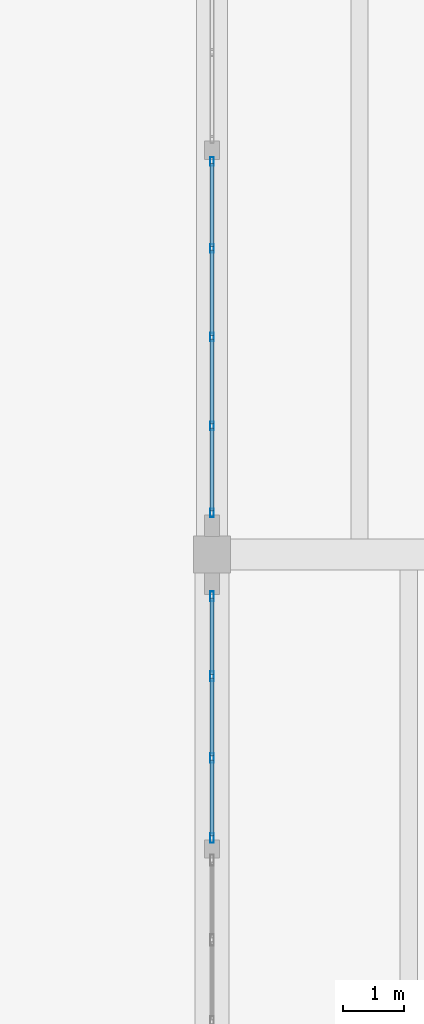
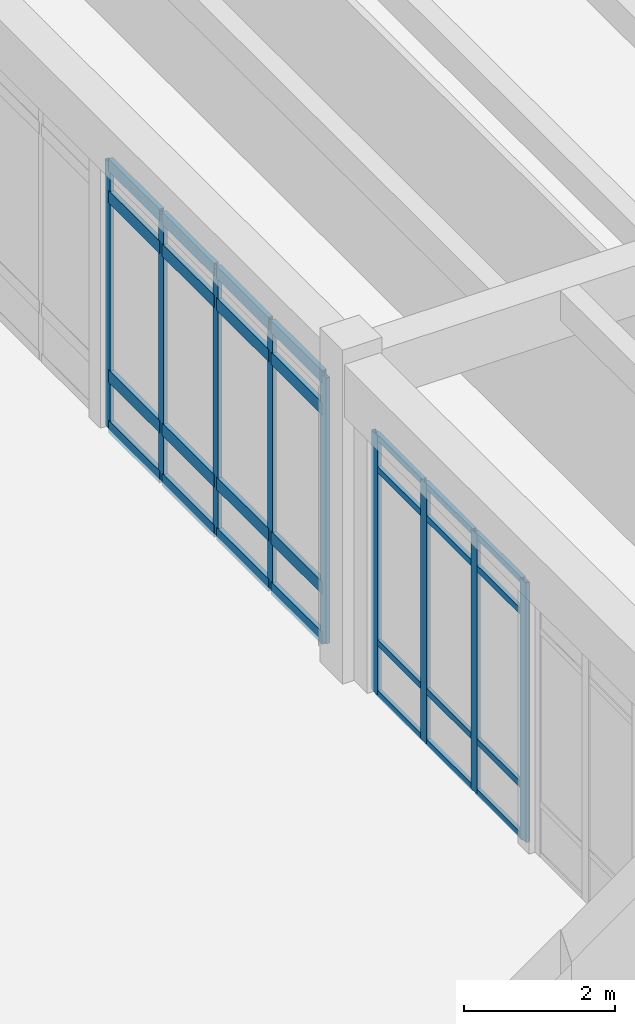
# One storey, part 29 of 138: 37 members, 2 elements without a shape of their own.
"""IFC4 building model written with IfcOpenShell, lengths in metres."""

from ifc_helpers import new_model, si_unit, direction, frame, origin, origin_2d, place, context, subcontext, project, spatial, hollow_rectangle, extrude, material, layer, layer_set, material_profile, profile_set, type_object, element, aggregate, save


model = new_model("IFC4")

# Units and contexts
model_context = context("Model", 3, precision=1e-05, world=origin(), true_north=direction((0.0, 1.0)))
body_context = subcontext(model_context, "Body", "Model", "MODEL_VIEW")
ifc_project = project(units=[si_unit("LENGTHUNIT", "METRE"), si_unit("AREAUNIT", "SQUARE_METRE"), si_unit("VOLUMEUNIT", "CUBIC_METRE"), si_unit("PLANEANGLEUNIT", "RADIAN"), si_unit("MASSUNIT", "GRAM", prefix="KILO")], contexts=[model_context])

# Site, building, storey
site_placement = place(None, origin())
site = spatial("IfcSite", under=ifc_project, at=site_placement, CompositionType="ELEMENT")
building_placement = place(site_placement, origin())
building = spatial("IfcBuilding", under=site, at=building_placement, Name="Fikremerkos Civic Library", CompositionType="ELEMENT")
storey_placement = place(building_placement, origin())
storey = spatial("IfcBuildingStorey", under=building, at=storey_placement, Name="L00", CompositionType="ELEMENT", Elevation=0.0)

# Curtain wall, members
ifc_material = material(Name="Anodized aluminium Frame", Category="aluminium")
ifc_layer_1 = layer(ifc_material, 0.159912109375, Name="Anodized aluminium Frame")
ifc_layer_set_1 = layer_set([ifc_layer_1], Name="Anodized aluminium Frame")
curtain_wall_type_1 = type_object("IfcCurtainWallType", Name="Unitised curtain wall CW-06 4200x4100", PredefinedType="USERDEFINED", material=ifc_layer_set_1)
curtain_wall_1_placement = place(storey_placement, origin())
curtain_wall_1 = element("IfcCurtainWall", 1, at=curtain_wall_1_placement, inside=storey, type_object=curtain_wall_type_1, Name="Unitised curtain wall CW-06 L00 #24", ObjectType="UNITISED CURTAIN WALL", PredefinedType="USERDEFINED")
ifc_material_profile_1 = material_profile(ifc_material, hollow_rectangle(XDim=0.06005859375, YDim=0.159912109375, WallThickness=0.00390625, at=origin_2d()), Name="ALU 160x60x4")
ifc_profile_set_1 = profile_set([ifc_material_profile_1], Name="Anodized aluminium Frame")
member_type_1 = type_object("IfcMemberType", Name="Curtain mullion CWM-02 ALU 160x60x4", PredefinedType="MULLION", material=ifc_profile_set_1)
member_1_placement = place(storey_placement, frame((124.800048828125, 52.992431640625, 0.0), z_axis=(0.0, 0.0, 1.0), x_axis=(-1.0, 0.0, 0.0)))
member_1 = element("IfcMember", 2, at=member_1_placement, type_object=member_type_1, Name="CW-06 mullion 1", PredefinedType="MULLION", context=body_context, shape_type="SweptSolid", body=[
    extrude(hollow_rectangle(XDim=0.06005859375, YDim=0.159912109375, WallThickness=0.00390625, at=origin_2d()), origin(), (0.0, 0.0, 1.0), 4.199951171875),
])
member_2_placement = place(storey_placement, frame((124.800048828125, 54.292236328125, 0.0), z_axis=(0.0, 0.0, 1.0), x_axis=(-1.0, 0.0, 0.0)))
member_2 = element("IfcMember", 3, at=member_2_placement, type_object=member_type_1, Name="CW-06 mullion 2", PredefinedType="MULLION", context=body_context, shape_type="SweptSolid", body=[
    extrude(hollow_rectangle(XDim=0.06005859375, YDim=0.159912109375, WallThickness=0.00390625, at=origin_2d()), origin(), (0.0, 0.0, 1.0), 4.199951171875),
])
member_3_placement = place(storey_placement, frame((124.800048828125, 55.6220703125, 0.0), z_axis=(0.0, 0.0, 1.0), x_axis=(-1.0, 0.0, 0.0)))
member_3 = element("IfcMember", 4, at=member_3_placement, type_object=member_type_1, Name="CW-06 mullion 3", PredefinedType="MULLION", context=body_context, shape_type="SweptSolid", body=[
    extrude(hollow_rectangle(XDim=0.06005859375, YDim=0.159912109375, WallThickness=0.00390625, at=origin_2d()), origin(), (0.0, 0.0, 1.0), 4.199951171875),
])
member_4_placement = place(storey_placement, frame((124.800048828125, 56.922119140625, 0.0), z_axis=(0.0, 0.0, 1.0), x_axis=(-1.0, 0.0, 0.0)))
member_4 = element("IfcMember", 5, at=member_4_placement, type_object=member_type_1, Name="CW-06 mullion 4", PredefinedType="MULLION", context=body_context, shape_type="SweptSolid", body=[
    extrude(hollow_rectangle(XDim=0.06005859375, YDim=0.159912109375, WallThickness=0.00390625, at=origin_2d()), origin(), (0.0, 0.0, 1.0), 4.199951171875),
])

ifc_layer_2 = layer(ifc_material, 0.159912109375, Name="Anodized aluminium Frame")
ifc_layer_set_2 = layer_set([ifc_layer_2], Name="Anodized aluminium Frame")
curtain_wall_type_2 = type_object("IfcCurtainWallType", Name="Unitised curtain wall CW-07 3500x4100", PredefinedType="USERDEFINED", material=ifc_layer_set_2)
curtain_wall_2_placement = place(storey_placement, origin())
curtain_wall_2 = element("IfcCurtainWall", 6, at=curtain_wall_2_placement, inside=storey, type_object=curtain_wall_type_2, Name="Unitised curtain wall CW-07 L00 #25", ObjectType="UNITISED CURTAIN WALL", PredefinedType="USERDEFINED")
ifc_material_profile_2 = material_profile(ifc_material, hollow_rectangle(XDim=0.06005859375, YDim=0.139892578125, WallThickness=0.00390625, at=origin_2d()), Name="ALU 140x60x4")
ifc_profile_set_2 = profile_set([ifc_material_profile_2], Name="Anodized aluminium Frame")
member_type_2 = type_object("IfcMemberType", Name="Curtain mullion CWM-03 ALU 140x60x4", PredefinedType="MULLION", material=ifc_profile_set_2)
member_5_placement = place(storey_placement, frame((124.800048828125, 58.278076171875, 0.0), z_axis=(0.0, 0.0, 1.0), x_axis=(-1.0, 0.0, 0.0)))
member_5 = element("IfcMember", 7, at=member_5_placement, type_object=member_type_2, Name="CW-07 mullion 1", PredefinedType="MULLION", context=body_context, shape_type="SweptSolid", body=[
    extrude(hollow_rectangle(XDim=0.06005859375, YDim=0.139892578125, WallThickness=0.00390625, at=origin_2d()), origin(), (0.0, 0.0, 1.0), 4.300048828125),
])
member_6_placement = place(storey_placement, frame((124.800048828125, 59.692138671875, 0.0), z_axis=(0.0, 0.0, 1.0), x_axis=(-1.0, 0.0, 0.0)))
member_6 = element("IfcMember", 8, at=member_6_placement, type_object=member_type_2, Name="CW-07 mullion 2", PredefinedType="MULLION", context=body_context, shape_type="SweptSolid", body=[
    extrude(hollow_rectangle(XDim=0.06005859375, YDim=0.139892578125, WallThickness=0.00390625, at=origin_2d()), origin(), (0.0, 0.0, 1.0), 4.300048828125),
])
member_7_placement = place(storey_placement, frame((124.800048828125, 61.13623046875, 0.0), z_axis=(0.0, 0.0, 1.0), x_axis=(-1.0, 0.0, 0.0)))
member_7 = element("IfcMember", 9, at=member_7_placement, type_object=member_type_2, Name="CW-07 mullion 3", PredefinedType="MULLION", context=body_context, shape_type="SweptSolid", body=[
    extrude(hollow_rectangle(XDim=0.06005859375, YDim=0.139892578125, WallThickness=0.00390625, at=origin_2d()), origin(), (0.0, 0.0, 1.0), 4.300048828125),
])
member_8_placement = place(storey_placement, frame((124.800048828125, 62.580322265625, 0.0), z_axis=(0.0, 0.0, 1.0), x_axis=(-1.0, 0.0, 0.0)))
member_8 = element("IfcMember", 10, at=member_8_placement, type_object=member_type_2, Name="CW-07 mullion 4", PredefinedType="MULLION", context=body_context, shape_type="SweptSolid", body=[
    extrude(hollow_rectangle(XDim=0.06005859375, YDim=0.139892578125, WallThickness=0.00390625, at=origin_2d()), origin(), (0.0, 0.0, 1.0), 4.300048828125),
])
member_9_placement = place(storey_placement, frame((124.800048828125, 63.994384765625, 0.0), z_axis=(0.0, 0.0, 1.0), x_axis=(-1.0, 0.0, 0.0)))
member_9 = element("IfcMember", 11, at=member_9_placement, type_object=member_type_2, Name="CW-07 mullion 5", PredefinedType="MULLION", context=body_context, shape_type="SweptSolid", body=[
    extrude(hollow_rectangle(XDim=0.06005859375, YDim=0.139892578125, WallThickness=0.00390625, at=origin_2d()), origin(), (0.0, 0.0, 1.0), 4.300048828125),
])

# Member
ifc_material_profile_3 = material_profile(ifc_material, hollow_rectangle(XDim=0.06005859375, YDim=0.10009765625, WallThickness=0.00390625, at=origin_2d()), Name="ALU 100x60x4")
ifc_profile_set_3 = profile_set([ifc_material_profile_3], Name="Anodized aluminium Frame")
member_type_3 = type_object("IfcMemberType", Name="Curtain transom CWT-03 ALU 100x60x4", PredefinedType="USERDEFINED", material=ifc_profile_set_3)
member_10_placement = place(storey_placement, frame((124.800048828125, 53.0224609375, 0.030029296875), z_axis=(0.0, 1.0, 0.0), x_axis=(-1.0, 0.0, 0.0)))
member_10 = element("IfcMember", 12, at=member_10_placement, type_object=member_type_3, Name="CW-06 transom 1.1", ObjectType="TRANSOM", PredefinedType="USERDEFINED", context=body_context, shape_type="SweptSolid", body=[
    extrude(hollow_rectangle(XDim=0.06005859375, YDim=0.10009765625, WallThickness=0.00390625, at=origin_2d()), origin(), (0.0, 0.0, 1.0), 1.239990234375),
])

member_11_placement = place(storey_placement, frame((124.800048828125, 53.0224609375, 0.85009765625), z_axis=(0.0, 1.0, 0.0), x_axis=(-1.0, 0.0, 0.0)))
member_11 = element("IfcMember", 13, at=member_11_placement, type_object=member_type_3, Name="CW-06 transom 1.2", ObjectType="TRANSOM", PredefinedType="USERDEFINED", context=body_context, shape_type="SweptSolid", body=[
    extrude(hollow_rectangle(XDim=0.06005859375, YDim=0.10009765625, WallThickness=0.00390625, at=origin_2d()), origin(), (0.0, 0.0, 1.0), 1.239990234375),
])

member_12_placement = place(storey_placement, frame((124.800048828125, 53.0224609375, 3.64990234375), z_axis=(0.0, 1.0, 0.0), x_axis=(-1.0, 0.0, 0.0)))
member_12 = element("IfcMember", 14, at=member_12_placement, type_object=member_type_3, Name="CW-06 transom 1.3", ObjectType="TRANSOM", PredefinedType="USERDEFINED", context=body_context, shape_type="SweptSolid", body=[
    extrude(hollow_rectangle(XDim=0.06005859375, YDim=0.10009765625, WallThickness=0.00390625, at=origin_2d()), origin(), (0.0, 0.0, 1.0), 1.239990234375),
])

member_13_placement = place(storey_placement, frame((124.800048828125, 53.0224609375, 4.169921875), z_axis=(0.0, 1.0, 0.0), x_axis=(-1.0, 0.0, 0.0)))
member_13 = element("IfcMember", 15, at=member_13_placement, type_object=member_type_3, Name="CW-06 transom 1.4", ObjectType="TRANSOM", PredefinedType="USERDEFINED", context=body_context, shape_type="SweptSolid", body=[
    extrude(hollow_rectangle(XDim=0.06005859375, YDim=0.10009765625, WallThickness=0.00390625, at=origin_2d()), origin(), (0.0, 0.0, 1.0), 1.239990234375),
])

member_14_placement = place(storey_placement, frame((124.800048828125, 54.322265625, 0.030029296875), z_axis=(0.0, 1.0, 0.0), x_axis=(-1.0, 0.0, 0.0)))
member_14 = element("IfcMember", 16, at=member_14_placement, type_object=member_type_3, Name="CW-06 transom 2.1", ObjectType="TRANSOM", PredefinedType="USERDEFINED", context=body_context, shape_type="SweptSolid", body=[
    extrude(hollow_rectangle(XDim=0.06005859375, YDim=0.10009765625, WallThickness=0.00390625, at=origin_2d()), origin(), (0.0, 0.0, 1.0), 1.27001953125),
])

member_15_placement = place(storey_placement, frame((124.800048828125, 54.322265625, 0.85009765625), z_axis=(0.0, 1.0, 0.0), x_axis=(-1.0, 0.0, 0.0)))
member_15 = element("IfcMember", 17, at=member_15_placement, type_object=member_type_3, Name="CW-06 transom 2.2", ObjectType="TRANSOM", PredefinedType="USERDEFINED", context=body_context, shape_type="SweptSolid", body=[
    extrude(hollow_rectangle(XDim=0.06005859375, YDim=0.10009765625, WallThickness=0.00390625, at=origin_2d()), origin(), (0.0, 0.0, 1.0), 1.27001953125),
])

member_16_placement = place(storey_placement, frame((124.800048828125, 54.322265625, 3.64990234375), z_axis=(0.0, 1.0, 0.0), x_axis=(-1.0, 0.0, 0.0)))
member_16 = element("IfcMember", 18, at=member_16_placement, type_object=member_type_3, Name="CW-06 transom 2.3", ObjectType="TRANSOM", PredefinedType="USERDEFINED", context=body_context, shape_type="SweptSolid", body=[
    extrude(hollow_rectangle(XDim=0.06005859375, YDim=0.10009765625, WallThickness=0.00390625, at=origin_2d()), origin(), (0.0, 0.0, 1.0), 1.27001953125),
])

member_17_placement = place(storey_placement, frame((124.800048828125, 54.322265625, 4.169921875), z_axis=(0.0, 1.0, 0.0), x_axis=(-1.0, 0.0, 0.0)))
member_17 = element("IfcMember", 19, at=member_17_placement, type_object=member_type_3, Name="CW-06 transom 2.4", ObjectType="TRANSOM", PredefinedType="USERDEFINED", context=body_context, shape_type="SweptSolid", body=[
    extrude(hollow_rectangle(XDim=0.06005859375, YDim=0.10009765625, WallThickness=0.00390625, at=origin_2d()), origin(), (0.0, 0.0, 1.0), 1.27001953125),
])

member_18_placement = place(storey_placement, frame((124.800048828125, 55.652099609375, 0.030029296875), z_axis=(0.0, 1.0, 0.0), x_axis=(-1.0, 0.0, 0.0)))
member_18 = element("IfcMember", 20, at=member_18_placement, type_object=member_type_3, Name="CW-06 transom 3.1", ObjectType="TRANSOM", PredefinedType="USERDEFINED", context=body_context, shape_type="SweptSolid", body=[
    extrude(hollow_rectangle(XDim=0.06005859375, YDim=0.10009765625, WallThickness=0.00390625, at=origin_2d()), origin(), (0.0, 0.0, 1.0), 1.239990234375),
])

member_19_placement = place(storey_placement, frame((124.800048828125, 55.652099609375, 0.85009765625), z_axis=(0.0, 1.0, 0.0), x_axis=(-1.0, 0.0, 0.0)))
member_19 = element("IfcMember", 21, at=member_19_placement, type_object=member_type_3, Name="CW-06 transom 3.2", ObjectType="TRANSOM", PredefinedType="USERDEFINED", context=body_context, shape_type="SweptSolid", body=[
    extrude(hollow_rectangle(XDim=0.06005859375, YDim=0.10009765625, WallThickness=0.00390625, at=origin_2d()), origin(), (0.0, 0.0, 1.0), 1.239990234375),
])

member_20_placement = place(storey_placement, frame((124.800048828125, 55.652099609375, 3.64990234375), z_axis=(0.0, 1.0, 0.0), x_axis=(-1.0, 0.0, 0.0)))
member_20 = element("IfcMember", 22, at=member_20_placement, type_object=member_type_3, Name="CW-06 transom 3.3", ObjectType="TRANSOM", PredefinedType="USERDEFINED", context=body_context, shape_type="SweptSolid", body=[
    extrude(hollow_rectangle(XDim=0.06005859375, YDim=0.10009765625, WallThickness=0.00390625, at=origin_2d()), origin(), (0.0, 0.0, 1.0), 1.239990234375),
])

member_21_placement = place(storey_placement, frame((124.800048828125, 55.652099609375, 4.169921875), z_axis=(0.0, 1.0, 0.0), x_axis=(-1.0, 0.0, 0.0)))
member_21 = element("IfcMember", 23, at=member_21_placement, type_object=member_type_3, Name="CW-06 transom 3.4", ObjectType="TRANSOM", PredefinedType="USERDEFINED", context=body_context, shape_type="SweptSolid", body=[
    extrude(hollow_rectangle(XDim=0.06005859375, YDim=0.10009765625, WallThickness=0.00390625, at=origin_2d()), origin(), (0.0, 0.0, 1.0), 1.239990234375),
])

aggregate(curtain_wall_1, [member_1, member_2, member_3, member_4, member_10, member_11, member_12, member_13, member_14, member_15, member_16, member_17, member_18, member_19, member_20, member_21])

ifc_material_profile_4 = material_profile(ifc_material, hollow_rectangle(XDim=0.070068359375, YDim=0.199951171875, WallThickness=0.0048828125, at=origin_2d()), Name="ALU 200x70x5")
ifc_profile_set_4 = profile_set([ifc_material_profile_4], Name="Anodized aluminium Frame")
member_type_4 = type_object("IfcMemberType", Name="Curtain transom CWT-04 ALU 200x70x5", PredefinedType="USERDEFINED", material=ifc_profile_set_4)
member_22_placement = place(storey_placement, frame((124.800048828125, 58.30810546875, 0.034912109375), z_axis=(0.0, 1.0, 0.0), x_axis=(-1.0, 0.0, 0.0)))
member_22 = element("IfcMember", 24, at=member_22_placement, type_object=member_type_4, Name="CW-07 transom 1.1", ObjectType="TRANSOM", PredefinedType="USERDEFINED", context=body_context, shape_type="SweptSolid", body=[
    extrude(hollow_rectangle(XDim=0.070068359375, YDim=0.199951171875, WallThickness=0.0048828125, at=origin_2d()), origin(), (0.0, 0.0, 1.0), 1.35400390625),
])

member_23_placement = place(storey_placement, frame((124.800048828125, 58.30810546875, 0.85009765625), z_axis=(0.0, 1.0, 0.0), x_axis=(-1.0, 0.0, 0.0)))
member_23 = element("IfcMember", 25, at=member_23_placement, type_object=member_type_4, Name="CW-07 transom 1.2", ObjectType="TRANSOM", PredefinedType="USERDEFINED", context=body_context, shape_type="SweptSolid", body=[
    extrude(hollow_rectangle(XDim=0.070068359375, YDim=0.199951171875, WallThickness=0.0048828125, at=origin_2d()), origin(), (0.0, 0.0, 1.0), 1.35400390625),
])

member_24_placement = place(storey_placement, frame((124.800048828125, 58.30810546875, 3.75), z_axis=(0.0, 1.0, 0.0), x_axis=(-1.0, 0.0, 0.0)))
member_24 = element("IfcMember", 26, at=member_24_placement, type_object=member_type_4, Name="CW-07 transom 1.3", ObjectType="TRANSOM", PredefinedType="USERDEFINED", context=body_context, shape_type="SweptSolid", body=[
    extrude(hollow_rectangle(XDim=0.070068359375, YDim=0.199951171875, WallThickness=0.0048828125, at=origin_2d()), origin(), (0.0, 0.0, 1.0), 1.35400390625),
])

member_25_placement = place(storey_placement, frame((124.800048828125, 58.30810546875, 4.264892578125), z_axis=(0.0, 1.0, 0.0), x_axis=(-1.0, 0.0, 0.0)))
member_25 = element("IfcMember", 27, at=member_25_placement, type_object=member_type_4, Name="CW-07 transom 1.4", ObjectType="TRANSOM", PredefinedType="USERDEFINED", context=body_context, shape_type="SweptSolid", body=[
    extrude(hollow_rectangle(XDim=0.070068359375, YDim=0.199951171875, WallThickness=0.0048828125, at=origin_2d()), origin(), (0.0, 0.0, 1.0), 1.35400390625),
])

member_26_placement = place(storey_placement, frame((124.800048828125, 59.72216796875, 0.034912109375), z_axis=(0.0, 1.0, 0.0), x_axis=(-1.0, 0.0, 0.0)))
member_26 = element("IfcMember", 28, at=member_26_placement, type_object=member_type_4, Name="CW-07 transom 2.1", ObjectType="TRANSOM", PredefinedType="USERDEFINED", context=body_context, shape_type="SweptSolid", body=[
    extrude(hollow_rectangle(XDim=0.070068359375, YDim=0.199951171875, WallThickness=0.0048828125, at=origin_2d()), origin(), (0.0, 0.0, 1.0), 1.384033203125),
])

member_27_placement = place(storey_placement, frame((124.800048828125, 59.72216796875, 0.85009765625), z_axis=(0.0, 1.0, 0.0), x_axis=(-1.0, 0.0, 0.0)))
member_27 = element("IfcMember", 29, at=member_27_placement, type_object=member_type_4, Name="CW-07 transom 2.2", ObjectType="TRANSOM", PredefinedType="USERDEFINED", context=body_context, shape_type="SweptSolid", body=[
    extrude(hollow_rectangle(XDim=0.070068359375, YDim=0.199951171875, WallThickness=0.0048828125, at=origin_2d()), origin(), (0.0, 0.0, 1.0), 1.384033203125),
])

member_28_placement = place(storey_placement, frame((124.800048828125, 59.72216796875, 3.75), z_axis=(0.0, 1.0, 0.0), x_axis=(-1.0, 0.0, 0.0)))
member_28 = element("IfcMember", 30, at=member_28_placement, type_object=member_type_4, Name="CW-07 transom 2.3", ObjectType="TRANSOM", PredefinedType="USERDEFINED", context=body_context, shape_type="SweptSolid", body=[
    extrude(hollow_rectangle(XDim=0.070068359375, YDim=0.199951171875, WallThickness=0.0048828125, at=origin_2d()), origin(), (0.0, 0.0, 1.0), 1.384033203125),
])

member_29_placement = place(storey_placement, frame((124.800048828125, 59.72216796875, 4.264892578125), z_axis=(0.0, 1.0, 0.0), x_axis=(-1.0, 0.0, 0.0)))
member_29 = element("IfcMember", 31, at=member_29_placement, type_object=member_type_4, Name="CW-07 transom 2.4", ObjectType="TRANSOM", PredefinedType="USERDEFINED", context=body_context, shape_type="SweptSolid", body=[
    extrude(hollow_rectangle(XDim=0.070068359375, YDim=0.199951171875, WallThickness=0.0048828125, at=origin_2d()), origin(), (0.0, 0.0, 1.0), 1.384033203125),
])

member_30_placement = place(storey_placement, frame((124.800048828125, 61.166259765625, 0.034912109375), z_axis=(0.0, 1.0, 0.0), x_axis=(-1.0, 0.0, 0.0)))
member_30 = element("IfcMember", 32, at=member_30_placement, type_object=member_type_4, Name="CW-07 transom 3.1", ObjectType="TRANSOM", PredefinedType="USERDEFINED", context=body_context, shape_type="SweptSolid", body=[
    extrude(hollow_rectangle(XDim=0.070068359375, YDim=0.199951171875, WallThickness=0.0048828125, at=origin_2d()), origin(), (0.0, 0.0, 1.0), 1.384033203125),
])

member_31_placement = place(storey_placement, frame((124.800048828125, 61.166259765625, 0.85009765625), z_axis=(0.0, 1.0, 0.0), x_axis=(-1.0, 0.0, 0.0)))
member_31 = element("IfcMember", 33, at=member_31_placement, type_object=member_type_4, Name="CW-07 transom 3.2", ObjectType="TRANSOM", PredefinedType="USERDEFINED", context=body_context, shape_type="SweptSolid", body=[
    extrude(hollow_rectangle(XDim=0.070068359375, YDim=0.199951171875, WallThickness=0.0048828125, at=origin_2d()), origin(), (0.0, 0.0, 1.0), 1.384033203125),
])

member_32_placement = place(storey_placement, frame((124.800048828125, 61.166259765625, 3.75), z_axis=(0.0, 1.0, 0.0), x_axis=(-1.0, 0.0, 0.0)))
member_32 = element("IfcMember", 34, at=member_32_placement, type_object=member_type_4, Name="CW-07 transom 3.3", ObjectType="TRANSOM", PredefinedType="USERDEFINED", context=body_context, shape_type="SweptSolid", body=[
    extrude(hollow_rectangle(XDim=0.070068359375, YDim=0.199951171875, WallThickness=0.0048828125, at=origin_2d()), origin(), (0.0, 0.0, 1.0), 1.384033203125),
])

member_33_placement = place(storey_placement, frame((124.800048828125, 61.166259765625, 4.264892578125), z_axis=(0.0, 1.0, 0.0), x_axis=(-1.0, 0.0, 0.0)))
member_33 = element("IfcMember", 35, at=member_33_placement, type_object=member_type_4, Name="CW-07 transom 3.4", ObjectType="TRANSOM", PredefinedType="USERDEFINED", context=body_context, shape_type="SweptSolid", body=[
    extrude(hollow_rectangle(XDim=0.070068359375, YDim=0.199951171875, WallThickness=0.0048828125, at=origin_2d()), origin(), (0.0, 0.0, 1.0), 1.384033203125),
])

member_34_placement = place(storey_placement, frame((124.800048828125, 62.6103515625, 0.034912109375), z_axis=(0.0, 1.0, 0.0), x_axis=(-1.0, 0.0, 0.0)))
member_34 = element("IfcMember", 36, at=member_34_placement, type_object=member_type_4, Name="CW-07 transom 4.1", ObjectType="TRANSOM", PredefinedType="USERDEFINED", context=body_context, shape_type="SweptSolid", body=[
    extrude(hollow_rectangle(XDim=0.070068359375, YDim=0.199951171875, WallThickness=0.0048828125, at=origin_2d()), origin(), (0.0, 0.0, 1.0), 1.35400390625),
])

member_35_placement = place(storey_placement, frame((124.800048828125, 62.6103515625, 0.85009765625), z_axis=(0.0, 1.0, 0.0), x_axis=(-1.0, 0.0, 0.0)))
member_35 = element("IfcMember", 37, at=member_35_placement, type_object=member_type_4, Name="CW-07 transom 4.2", ObjectType="TRANSOM", PredefinedType="USERDEFINED", context=body_context, shape_type="SweptSolid", body=[
    extrude(hollow_rectangle(XDim=0.070068359375, YDim=0.199951171875, WallThickness=0.0048828125, at=origin_2d()), origin(), (0.0, 0.0, 1.0), 1.35400390625),
])

member_36_placement = place(storey_placement, frame((124.800048828125, 62.6103515625, 3.75), z_axis=(0.0, 1.0, 0.0), x_axis=(-1.0, 0.0, 0.0)))
member_36 = element("IfcMember", 38, at=member_36_placement, type_object=member_type_4, Name="CW-07 transom 4.3", ObjectType="TRANSOM", PredefinedType="USERDEFINED", context=body_context, shape_type="SweptSolid", body=[
    extrude(hollow_rectangle(XDim=0.070068359375, YDim=0.199951171875, WallThickness=0.0048828125, at=origin_2d()), origin(), (0.0, 0.0, 1.0), 1.35400390625),
])

member_37_placement = place(storey_placement, frame((124.800048828125, 62.6103515625, 4.264892578125), z_axis=(0.0, 1.0, 0.0), x_axis=(-1.0, 0.0, 0.0)))
member_37 = element("IfcMember", 39, at=member_37_placement, type_object=member_type_4, Name="CW-07 transom 4.4", ObjectType="TRANSOM", PredefinedType="USERDEFINED", context=body_context, shape_type="SweptSolid", body=[
    extrude(hollow_rectangle(XDim=0.070068359375, YDim=0.199951171875, WallThickness=0.0048828125, at=origin_2d()), origin(), (0.0, 0.0, 1.0), 1.35400390625),
])

aggregate(curtain_wall_2, [member_5, member_6, member_7, member_8, member_9, member_22, member_23, member_24, member_25, member_26, member_27, member_28, member_29, member_30, member_31, member_32, member_33, member_34, member_35, member_36, member_37])

save(model, "model.ifc")
